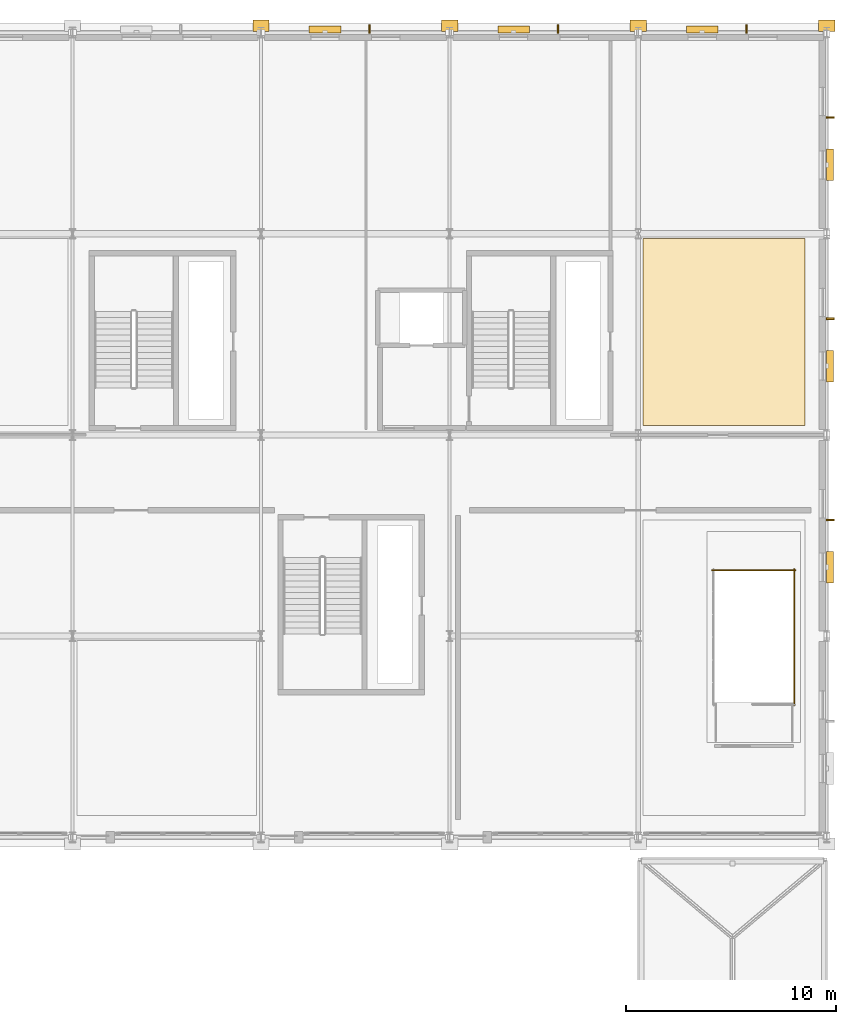
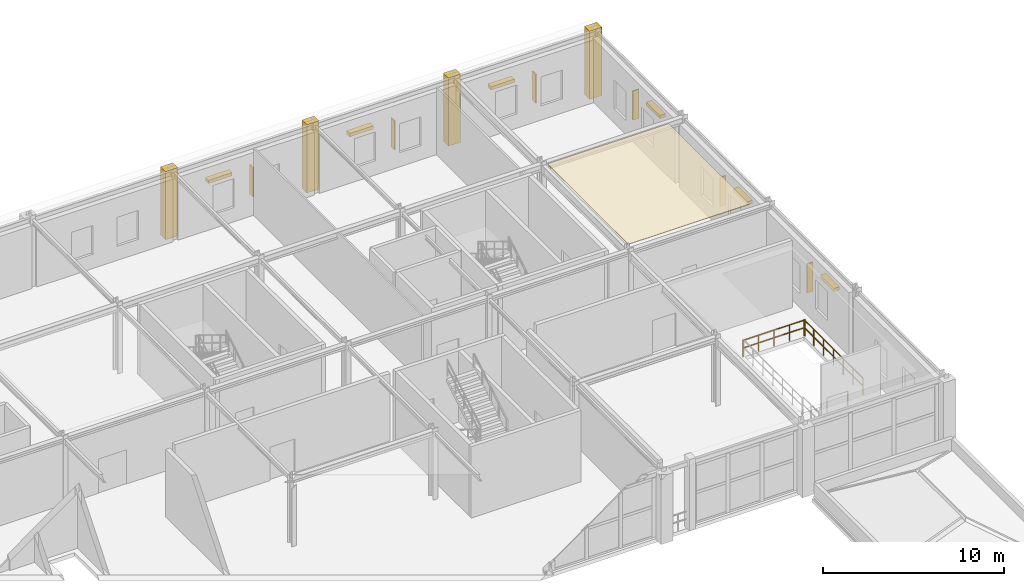
# One storey, part 124 of 125: 12 shading devices, 5 coverings, 2 railings.
"""IFC4 building model written with IfcOpenShell, lengths in metres."""

import ifcopenshell
import ifcopenshell.guid

model = None  # the IFC model being written
_history = None  # IfcOwnerHistory: only IFC2X3 demands one
_inside = {}  # id of a spatial element -> (the spatial element, [elements in it])
_under = {}  # id of a project, library or spatial element -> (it, [spatial elements below it])
_declared = {}  # id of a project -> (the project, [libraries it declares])
_typed = {}  # id of a type object -> (the type object, [elements of that type])
_made_of = {}  # id of a material, layer set ... -> (it, [elements and type objects made of it])


def new_model(schema):
    """Start an empty IFC model of exactly this schema.

    Asked for "IFC4X3", IfcOpenShell would pick the latest addendum, in which some entities
    have other attributes; the version numbers below select the first issue.
    IFC2X3 requires an IfcOwnerHistory on every rooted entity: one is made here for all.
    """
    global model, _history
    if schema == "IFC4X3":
        model = ifcopenshell.file(schema_version=(4, 3, 0, 0))
    else:
        model = ifcopenshell.file(schema=schema)
    _inside.clear()
    _under.clear()
    _declared.clear()
    _typed.clear()
    _made_of.clear()
    _history = None
    if model.schema == "IFC2X3":
        org = make("IfcOrganization", Name="unknown")
        user = make(
            "IfcPersonAndOrganization",
            ThePerson=make("IfcPerson", FamilyName="unknown"),
            TheOrganization=org,
        )
        app = make(
            "IfcApplication",
            ApplicationDeveloper=org,
            Version="unknown",
            ApplicationFullName="unknown",
            ApplicationIdentifier="unknown",
        )
        _history = make(
            "IfcOwnerHistory",
            OwningUser=user,
            OwningApplication=app,
            ChangeAction="ADDED",
            CreationDate=0,
        )
    return model


def make(cls, **values):
    """One entity of the class cls with the attributes given. An attribute that is None is left unset."""
    return model.create_entity(
        cls, **{name: value for name, value in values.items() if value is not None}
    )


def rooted(cls, **values):
    """An entity with a GlobalId (a new one), such as an element, a storey or a relation."""
    return make(cls, GlobalId=ifcopenshell.guid.new(), OwnerHistory=_history, **values)


def si_unit(unit_type, name, prefix=None):
    """IfcSIUnit, for example si_unit("LENGTHUNIT", "METRE", prefix="MILLI")."""
    return make("IfcSIUnit", UnitType=unit_type, Prefix=prefix, Name=name)


def assignment(units):
    """IfcUnitAssignment: the units of a project."""
    return None if units is None else make("IfcUnitAssignment", Units=units)


def point(xyz):
    """IfcCartesianPoint."""
    return None if xyz is None else make("IfcCartesianPoint", Coordinates=xyz)


def direction(xyz):
    """IfcDirection."""
    return None if xyz is None else make("IfcDirection", DirectionRatios=xyz)


def frame(location, z_axis=None, x_axis=None):
    """IfcAxis2Placement3D, a coordinate frame: its origin and axes. An axis left out is left unset."""
    return make(
        "IfcAxis2Placement3D",
        Location=point(location),
        Axis=direction(z_axis),
        RefDirection=direction(x_axis),
    )


def frame_2d(location, x_axis=None):
    """IfcAxis2Placement2D, a coordinate frame in the plane: its origin and x axis."""
    return make(
        "IfcAxis2Placement2D", Location=point(location), RefDirection=direction(x_axis)
    )


def origin():
    """The frame at (0, 0, 0) with its axes left unset."""
    return frame((0.0, 0.0, 0.0))


def origin_2d():
    """The frame at (0, 0) in the plane with its x axis left unset."""
    return frame_2d((0.0, 0.0))


def place(relative_to, where):
    """IfcLocalPlacement: puts the frame where relative to a parent placement (None: the world)."""
    return make(
        "IfcLocalPlacement", PlacementRelTo=relative_to, RelativePlacement=where
    )


def context(
    kind, dimensions, precision=None, world=None, true_north=None, identifier=None
):
    """IfcGeometricRepresentationContext, for example the 3D "Model" context."""
    return make(
        "IfcGeometricRepresentationContext",
        ContextIdentifier=identifier,
        ContextType=kind,
        CoordinateSpaceDimension=dimensions,
        Precision=precision,
        WorldCoordinateSystem=world,
        TrueNorth=true_north,
    )


def subcontext(parent, identifier, kind, view, scale=None):
    """IfcGeometricRepresentationSubContext, for example "Body" below "Model"."""
    return make(
        "IfcGeometricRepresentationSubContext",
        ContextIdentifier=identifier,
        ContextType=kind,
        ParentContext=parent,
        TargetScale=scale,
        TargetView=view,
    )


def project(units=None, contexts=None):
    """IfcProject with its units and contexts."""
    return rooted(
        "IfcProject",
        Name="project",
        RepresentationContexts=contexts,
        UnitsInContext=assignment(units),
    )


def spatial(cls, under=None, at=None, **own):
    """A site, building, storey or space (cls), placed at a placement, below another one or the project."""
    s = rooted(cls, ObjectPlacement=at, **own)
    if under is not None:
        _under.setdefault(under.id(), (under, []))[1].append(s)
    return s


def polyline(points):
    """IfcPolyline through the points."""
    return make("IfcPolyline", Points=[point(p) for p in points])


def profile(cls, at=None, kind="AREA", **sizes):
    """A parametric profile (cls). Its sizes go by their IFC names, for example OverallWidth=200.0."""
    return make(cls, ProfileType=kind, Position=at, **sizes)


def rectangle(**sizes):
    """IfcRectangleProfileDef."""
    return profile("IfcRectangleProfileDef", **sizes)


def outline(outer, holes=None, kind="AREA"):
    """IfcArbitraryClosedProfileDef: a profile drawn as a closed curve; with holes, ...WithVoids."""
    if holes is None:
        return make("IfcArbitraryClosedProfileDef", ProfileType=kind, OuterCurve=outer)
    return make(
        "IfcArbitraryProfileDefWithVoids",
        ProfileType=kind,
        OuterCurve=outer,
        InnerCurves=holes,
    )


def extrude(swept, where, along, depth):
    """IfcExtrudedAreaSolid: the profile swept, set in the frame where, extruded along a direction by depth."""
    return make(
        "IfcExtrudedAreaSolid",
        SweptArea=swept,
        Position=where,
        ExtrudedDirection=direction(along),
        Depth=depth,
    )


def shape(context_of_items, identifier, shape_type, items):
    """IfcShapeRepresentation: the items that make up one representation, for example the "Body"."""
    return make(
        "IfcShapeRepresentation",
        ContextOfItems=context_of_items,
        RepresentationIdentifier=identifier,
        RepresentationType=shape_type,
        Items=items,
    )


def material(Name=None, Category=None):
    """IfcMaterial."""
    return make("IfcMaterial", Name=Name, Category=Category)


def layer(
    of_material, thickness, ventilated=None, Name=None, Category=None, Priority=None
):
    """IfcMaterialLayer: one layer of a wall or slab, of a material (None: an air gap)."""
    return make(
        "IfcMaterialLayer",
        Material=of_material,
        LayerThickness=thickness,
        IsVentilated=ventilated,
        Name=Name,
        Category=Category,
        Priority=Priority,
    )


def layer_set(layers, Name=None):
    """IfcMaterialLayerSet."""
    return make("IfcMaterialLayerSet", MaterialLayers=layers, LayerSetName=Name)


def made_of(thing, what):
    """Note that an element or type object is made of a material, layer set ...; save() writes the relation."""
    if what is not None:
        _made_of.setdefault(what.id(), (what, []))[1].append(thing)
    return thing


def type_object(cls, material=None, **own):
    """A type object (cls), such as IfcWallType, which elements share."""
    return made_of(rooted(cls, **own), material)


def element(
    cls,
    number,
    at=None,
    inside=None,
    cuts=None,
    type_object=None,
    material=None,
    context=None,
    identifier="Body",
    shape_type=None,
    held_by="IfcProductDefinitionShape",
    body=None,
    shapes=None,
    **own,
):
    """One element of the class cls, such as IfcWall. Its Tag is "e" and its number.

    at: its placement. inside: the storey or other place that contains it. cuts: it is an
    opening in that element (IfcRelVoidsElement). A single representation is given by context,
    identifier, shape_type and body (its items); several are given by shapes. held_by: the class
    of the entity that holds the representations. save() writes the other relations.
    """
    e = rooted(cls, Tag="e%d" % number, ObjectPlacement=at, **own)
    if body is not None:
        shapes = [shape(context, identifier, shape_type, body)]
    if shapes is not None:
        e.Representation = make(held_by, Representations=shapes)
    if inside is not None:
        _inside.setdefault(inside.id(), (inside, []))[1].append(e)
    if cuts is not None:
        rooted(
            "IfcRelVoidsElement", RelatingBuildingElement=cuts, RelatedOpeningElement=e
        )
    if type_object is not None:
        _typed.setdefault(type_object.id(), (type_object, []))[1].append(e)
    return made_of(e, material)


def aggregate(whole, parts):
    """IfcRelAggregates: a whole, such as a stair, and the parts it consists of."""
    return rooted("IfcRelAggregates", RelatingObject=whole, RelatedObjects=parts)


def save(model, path):
    """Write the relations noted so far, then the file.

    IfcRelAggregates (storeys below a building ...), IfcRelContainedInSpatialStructure (elements
    in a storey), IfcRelDefinesByType, IfcRelAssociatesMaterial and IfcRelDeclares: one each for
    every whole, place, type object, material and project.
    """
    for whole, parts in _under.values():
        aggregate(whole, parts)
    for where, things in _inside.values():
        rooted(
            "IfcRelContainedInSpatialStructure",
            RelatedElements=things,
            RelatingStructure=where,
        )
    for kind, things in _typed.values():
        rooted("IfcRelDefinesByType", RelatedObjects=things, RelatingType=kind)
    for what, things in _made_of.values():
        rooted("IfcRelAssociatesMaterial", RelatedObjects=things, RelatingMaterial=what)
    for by, libraries in _declared.values():
        rooted("IfcRelDeclares", RelatingContext=by, RelatedDefinitions=libraries)
    model.write(path)


model = new_model("IFC4")

# Units and contexts
model_context = context("Model", 3, precision=1e-05, world=origin(), true_north=direction((0.0, 1.0)))
body_context = subcontext(model_context, "Body", "Model", "MODEL_VIEW")
ifc_project = project(units=[si_unit("LENGTHUNIT", "METRE"), si_unit("AREAUNIT", "SQUARE_METRE"), si_unit("VOLUMEUNIT", "CUBIC_METRE"), si_unit("PLANEANGLEUNIT", "RADIAN"), si_unit("MASSUNIT", "GRAM", prefix="KILO")], contexts=[model_context])

# Site, building, storey
site_placement = place(None, origin())
site = spatial("IfcSite", under=ifc_project, at=site_placement, CompositionType="ELEMENT")
building_placement = place(site_placement, origin())
building = spatial("IfcBuilding", under=site, at=building_placement, Name="Myrtia Square Station", CompositionType="ELEMENT")
storey_placement = place(building_placement, frame((0.0, 0.0, 6.0)))
storey = spatial("IfcBuildingStorey", under=building, at=storey_placement, Name="L01", CompositionType="ELEMENT", Elevation=6.0)

# Coverings
ifc_material_1 = material(Name="Pentelic marble ashlar", Category="masonry")
ifc_layer_1 = layer(ifc_material_1, 0.4599609375, Name="Pentelic marble ashlar")
ifc_layer_set_1 = layer_set([ifc_layer_1], Name="Pentelic marble ashlar")
covering_type_1 = type_object("IfcCoveringType", Name="COV-ARCH-ASHLAR", PredefinedType="CLADDING", material=ifc_layer_set_1)
for number, where, z_axis, x_axis, name in (
    (1, (162.0, 125.1201171875, -0.0400390625), (0.0, 0.0, 1.0), (1.0, 0.0, 0.0), "Classical Pentelic ashlar pilaster 099"),
    (2, (171.0, 125.1201171875, -0.0400390625), (0.0, 0.0, 1.0), (1.0, 0.0, 0.0), "Classical Pentelic ashlar pilaster 109"),
    (3, (180.0, 125.1201171875, -0.0400390625), (0.0, 0.0, 1.0), (1.0, 0.0, 0.0), "Classical Pentelic ashlar pilaster 119"),
    (4, (189.0, 125.1201171875, -0.0400390625), (0.0, 0.0, 1.0), (1.0, 0.0, 0.0), "Classical Pentelic ashlar pilaster 128"),
):
    element("IfcCovering", number, at=place(storey_placement, frame(where, z_axis=z_axis, x_axis=x_axis)), inside=storey, type_object=covering_type_1, Name=name, PredefinedType="CLADDING", context=body_context, shape_type="SweptSolid", body=[
        extrude(rectangle(XDim=0.780029296875, YDim=0.56005859375, at=origin_2d()), origin(), (0.0, 0.0, 1.0), 4.590087890625),
    ])
ifc_material_2 = material(Name="Acoustic European oak timber", Category="wood")
ifc_layer_2 = layer(ifc_material_2, 0.044921875, Name="Acoustic European oak timber")
ifc_layer_set_2 = layer_set([ifc_layer_2], Name="Acoustic European oak timber")
covering_type_2 = type_object("IfcCoveringType", Name="COV-CEIL-OAK", PredefinedType="CEILING", material=ifc_layer_set_2)
covering_placement = place(storey_placement, frame((0.0, 0.0, 4.5048828125)))
element("IfcCovering", 5, at=covering_placement, inside=storey, type_object=covering_type_2, Name="Acoustic coffer ceiling L01-20", PredefinedType="CEILING", context=body_context, shape_type="SweptSolid", body=[
    extrude(outline(polyline([(187.949951171875, 106.050048828125), (180.219970703125, 106.050048828125), (180.219970703125, 114.97998046875), (187.949951171875, 114.97998046875), (187.949951171875, 106.050048828125)])), origin(), (0.0, 0.0, 1.0), 0.045166015625),
])

# Railings
ifc_material_3 = material(Name="Wrought iron", Category="steel")
railing_type = type_object("IfcRailingType", Name="RL-INT-GUARD-1100", PredefinedType="BALUSTRADE", material=ifc_material_3)
railing_1_placement = place(storey_placement, frame((187.449951171875, 92.699951171875, 0.0)))
element("IfcRailing", 6, at=railing_1_placement, inside=storey, type_object=railing_type, Name="L01 ST72 top well guard 2", PredefinedType="BALUSTRADE", context=body_context, shape_type="SweptSolid", body=[
    extrude(rectangle(XDim=0.048095703125, YDim=0.048095703125, at=origin_2d()), frame((0.0, 0.03466796875, 1.09619140625), z_axis=(0.0, 1.0, 0.0), x_axis=(-1.0, 0.0, 0.0)), (0.0, 0.0, 1.0), 1.01416015625),
    extrude(rectangle(XDim=0.048095703125, YDim=0.048095703125, at=origin_2d()), frame((0.0, 0.03466796875, 0.58251953125), z_axis=(0.0, 1.0, 0.0), x_axis=(-1.0, 0.0, 0.0)), (0.0, 0.0, 1.0), 1.01416015625),
    extrude(rectangle(XDim=0.048095703125, YDim=0.048095703125, at=origin_2d()), frame((0.0, 1.117919921875, 1.09619140625), z_axis=(0.0, 1.0, 0.0), x_axis=(-1.0, 0.0, 0.0)), (0.0, 0.0, 1.0), 1.01416015625),
    extrude(rectangle(XDim=0.048095703125, YDim=0.048095703125, at=origin_2d()), frame((0.0, 1.117919921875, 0.58251953125), z_axis=(0.0, 1.0, 0.0), x_axis=(-1.0, 0.0, 0.0)), (0.0, 0.0, 1.0), 1.01416015625),
    extrude(rectangle(XDim=0.048095703125, YDim=0.048095703125, at=origin_2d()), frame((0.0, 2.201416015625, 1.09619140625), z_axis=(0.0, 1.0, 0.0), x_axis=(-1.0, 0.0, 0.0)), (0.0, 0.0, 1.0), 1.01416015625),
    extrude(rectangle(XDim=0.048095703125, YDim=0.048095703125, at=origin_2d()), frame((0.0, 2.201416015625, 0.58251953125), z_axis=(0.0, 1.0, 0.0), x_axis=(-1.0, 0.0, 0.0)), (0.0, 0.0, 1.0), 1.01416015625),
    extrude(rectangle(XDim=0.048095703125, YDim=0.048095703125, at=origin_2d()), frame((0.0, 3.28466796875, 1.09619140625), z_axis=(0.0, 1.0, 0.0), x_axis=(-1.0, 0.0, 0.0)), (0.0, 0.0, 1.0), 1.01416015625),
    extrude(rectangle(XDim=0.048095703125, YDim=0.048095703125, at=origin_2d()), frame((0.0, 3.28466796875, 0.58251953125), z_axis=(0.0, 1.0, 0.0), x_axis=(-1.0, 0.0, 0.0)), (0.0, 0.0, 1.0), 1.01416015625),
    extrude(rectangle(XDim=0.048095703125, YDim=0.048095703125, at=origin_2d()), frame((0.0, 4.367919921875, 1.09619140625), z_axis=(0.0, 1.0, 0.0), x_axis=(-1.0, 0.0, 0.0)), (0.0, 0.0, 1.0), 1.01416015625),
    extrude(rectangle(XDim=0.048095703125, YDim=0.048095703125, at=origin_2d()), frame((0.0, 4.367919921875, 0.58251953125), z_axis=(0.0, 1.0, 0.0), x_axis=(-1.0, 0.0, 0.0)), (0.0, 0.0, 1.0), 1.01416015625),
    extrude(rectangle(XDim=0.048095703125, YDim=0.048095703125, at=origin_2d()), frame((0.0, 5.451416015625, 1.09619140625), z_axis=(0.0, 1.0, 0.0), x_axis=(-1.0, 0.0, 0.0)), (0.0, 0.0, 1.0), 1.01416015625),
    extrude(rectangle(XDim=0.048095703125, YDim=0.048095703125, at=origin_2d()), frame((0.0, 5.451416015625, 0.58251953125), z_axis=(0.0, 1.0, 0.0), x_axis=(-1.0, 0.0, 0.0)), (0.0, 0.0, 1.0), 1.01416015625),
    extrude(rectangle(XDim=0.0439453125, YDim=0.0439453125, at=origin_2d()), origin(), (0.0, 0.0, 1.0), 1.1201171875),
    extrude(rectangle(XDim=0.0439453125, YDim=0.0439453125, at=origin_2d()), frame((0.0, 1.083251953125, 0.0)), (0.0, 0.0, 1.0), 1.1201171875),
    extrude(rectangle(XDim=0.0439453125, YDim=0.0439453125, at=origin_2d()), frame((0.0, 2.166748046875, 0.0)), (0.0, 0.0, 1.0), 1.1201171875),
    extrude(rectangle(XDim=0.0439453125, YDim=0.0439453125, at=origin_2d()), frame((0.0, 3.25, 0.0)), (0.0, 0.0, 1.0), 1.1201171875),
    extrude(rectangle(XDim=0.0439453125, YDim=0.0439453125, at=origin_2d()), frame((0.0, 4.333251953125, 0.0)), (0.0, 0.0, 1.0), 1.1201171875),
    extrude(rectangle(XDim=0.0439453125, YDim=0.0439453125, at=origin_2d()), frame((0.0, 5.416748046875, 0.0)), (0.0, 0.0, 1.0), 1.1201171875),
    extrude(rectangle(XDim=0.0439453125, YDim=0.0439453125, at=origin_2d()), frame((0.0, 6.5, 0.0)), (0.0, 0.0, 1.0), 1.1201171875),
])
railing_2_placement = place(storey_placement, frame((187.5, 99.14990234375, 0.0)))
element("IfcRailing", 7, at=railing_2_placement, inside=storey, type_object=railing_type, Name="L01 ST72 top well guard 4", PredefinedType="BALUSTRADE", context=body_context, shape_type="SweptSolid", body=[
    extrude(rectangle(XDim=0.048095703125, YDim=0.048095703125, at=origin_2d()), frame((-0.03466796875, 0.0, 1.09619140625), z_axis=(-1.0, 0.0, 0.0), x_axis=(0.0, -1.0, 0.0)), (0.0, 0.0, 1.0), 0.920654296875),
    extrude(rectangle(XDim=0.048095703125, YDim=0.048095703125, at=origin_2d()), frame((-0.03466796875, 0.0, 0.58251953125), z_axis=(-1.0, 0.0, 0.0), x_axis=(0.0, -1.0, 0.0)), (0.0, 0.0, 1.0), 0.920654296875),
    extrude(rectangle(XDim=0.048095703125, YDim=0.048095703125, at=origin_2d()), frame((-1.024658203125, 0.0, 1.09619140625), z_axis=(-1.0, 0.0, 0.0), x_axis=(0.0, -1.0, 0.0)), (0.0, 0.0, 1.0), 0.920654296875),
    extrude(rectangle(XDim=0.048095703125, YDim=0.048095703125, at=origin_2d()), frame((-1.024658203125, 0.0, 0.58251953125), z_axis=(-1.0, 0.0, 0.0), x_axis=(0.0, -1.0, 0.0)), (0.0, 0.0, 1.0), 0.920654296875),
    extrude(rectangle(XDim=0.048095703125, YDim=0.048095703125, at=origin_2d()), frame((-2.0146484375, 0.0, 1.09619140625), z_axis=(-1.0, 0.0, 0.0), x_axis=(0.0, -1.0, 0.0)), (0.0, 0.0, 1.0), 0.920654296875),
    extrude(rectangle(XDim=0.048095703125, YDim=0.048095703125, at=origin_2d()), frame((-2.0146484375, 0.0, 0.58251953125), z_axis=(-1.0, 0.0, 0.0), x_axis=(0.0, -1.0, 0.0)), (0.0, 0.0, 1.0), 0.920654296875),
    extrude(rectangle(XDim=0.048095703125, YDim=0.048095703125, at=origin_2d()), frame((-3.004638671875, 0.0, 1.09619140625), z_axis=(-1.0, 0.0, 0.0), x_axis=(0.0, -1.0, 0.0)), (0.0, 0.0, 1.0), 0.920654296875),
    extrude(rectangle(XDim=0.048095703125, YDim=0.048095703125, at=origin_2d()), frame((-3.004638671875, 0.0, 0.58251953125), z_axis=(-1.0, 0.0, 0.0), x_axis=(0.0, -1.0, 0.0)), (0.0, 0.0, 1.0), 0.920654296875),
    extrude(rectangle(XDim=0.0439453125, YDim=0.0439453125, at=origin_2d()), origin(), (0.0, 0.0, 1.0), 1.1201171875),
    extrude(rectangle(XDim=0.0439453125, YDim=0.0439453125, at=origin_2d()), frame((-0.989990234375, 0.0, 0.0)), (0.0, 0.0, 1.0), 1.1201171875),
    extrude(rectangle(XDim=0.0439453125, YDim=0.0439453125, at=origin_2d()), frame((-1.97998046875, 0.0, 0.0)), (0.0, 0.0, 1.0), 1.1201171875),
    extrude(rectangle(XDim=0.0439453125, YDim=0.0439453125, at=origin_2d()), frame((-2.969970703125, 0.0, 0.0)), (0.0, 0.0, 1.0), 1.1201171875),
    extrude(rectangle(XDim=0.0439453125, YDim=0.0439453125, at=origin_2d()), frame((-3.9599609375, 0.0, 0.0)), (0.0, 0.0, 1.0), 1.1201171875),
])

# Shading devices
ifc_material_4 = material(Name="Dark bronze anodised aluminium", Category="aluminium")
shading_device_type_1 = type_object("IfcShadingDeviceType", Name="SHD-FIN-BRONZE", PredefinedType="USERDEFINED", material=ifc_material_4)
for number, where, z_axis, x_axis, name in (
    (8, (167.173095703125, 124.969970703125, 0.9501953125), (0.0, 0.0, 1.0), (1.0, 0.0, 0.0), "Vertical bronze solar fin SHF-048"),
    (9, (176.173095703125, 124.969970703125, 0.9501953125), (0.0, 0.0, 1.0), (1.0, 0.0, 0.0), "Vertical bronze solar fin SHF-049"),
    (10, (185.173095703125, 124.969970703125, 0.9501953125), (0.0, 0.0, 1.0), (1.0, 0.0, 0.0), "Vertical bronze solar fin SHF-050"),
    (11, (189.169921875, 101.5400390625, 0.9501953125), (0.0, 0.0, 1.0), (0.0, 1.0, 0.0), "Vertical bronze solar fin SHF-052"),
    (12, (189.169921875, 111.139892578125, 0.9501953125), (0.0, 0.0, 1.0), (0.0, 1.0, 0.0), "Vertical bronze solar fin SHF-053"),
    (13, (189.169921875, 120.739990234375, 0.9501953125), (0.0, 0.0, 1.0), (0.0, 1.0, 0.0), "Vertical bronze solar fin SHF-054"),
):
    element("IfcShadingDevice", number, at=place(storey_placement, frame(where, z_axis=z_axis, x_axis=x_axis)), inside=storey, type_object=shading_device_type_1, Name=name, ObjectType="FIN", PredefinedType="USERDEFINED", context=body_context, shape_type="SweptSolid", body=[
        extrude(rectangle(XDim=0.080078125, YDim=0.389892578125, at=origin_2d()), origin(), (0.0, 0.0, 1.0), 1.949951171875),
    ])
shading_device_type_2 = type_object("IfcShadingDeviceType", Name="SHD-JALOUSIE-BRONZE", PredefinedType="JALOUSIE", material=ifc_material_4)
for number, where, z_axis, x_axis, name in (
    (14, (165.052001953125, 124.949951171875, 2.83984375), (0.0, 0.0, 1.0), (1.0, 0.0, 0.0), "Mediterranean bronze solar louvre SHL-048"),
    (15, (174.052001953125, 124.949951171875, 2.83984375), (0.0, 0.0, 1.0), (1.0, 0.0, 0.0), "Mediterranean bronze solar louvre SHL-049"),
    (16, (183.052001953125, 124.949951171875, 2.83984375), (0.0, 0.0, 1.0), (1.0, 0.0, 0.0), "Mediterranean bronze solar louvre SHL-050"),
    (17, (189.14990234375, 99.284912109375, 2.83984375), (0.0, 0.0, 1.0), (0.0, 1.0, 0.0), "Mediterranean bronze solar louvre SHL-052"),
    (18, (189.14990234375, 108.885009765625, 2.83984375), (0.0, 0.0, 1.0), (0.0, 1.0, 0.0), "Mediterranean bronze solar louvre SHL-053"),
    (19, (189.14990234375, 118.485107421875, 2.83984375), (0.0, 0.0, 1.0), (0.0, 1.0, 0.0), "Mediterranean bronze solar louvre SHL-054"),
):
    element("IfcShadingDevice", number, at=place(storey_placement, frame(where, z_axis=z_axis, x_axis=x_axis)), inside=storey, type_object=shading_device_type_2, Name=name, PredefinedType="JALOUSIE", context=body_context, shape_type="SweptSolid", body=[
        extrude(rectangle(XDim=1.510009765625, YDim=0.35009765625, at=origin_2d()), origin(), (0.0, 0.0, 1.0), 0.219970703125),
    ])

save(model, "model.ifc")
